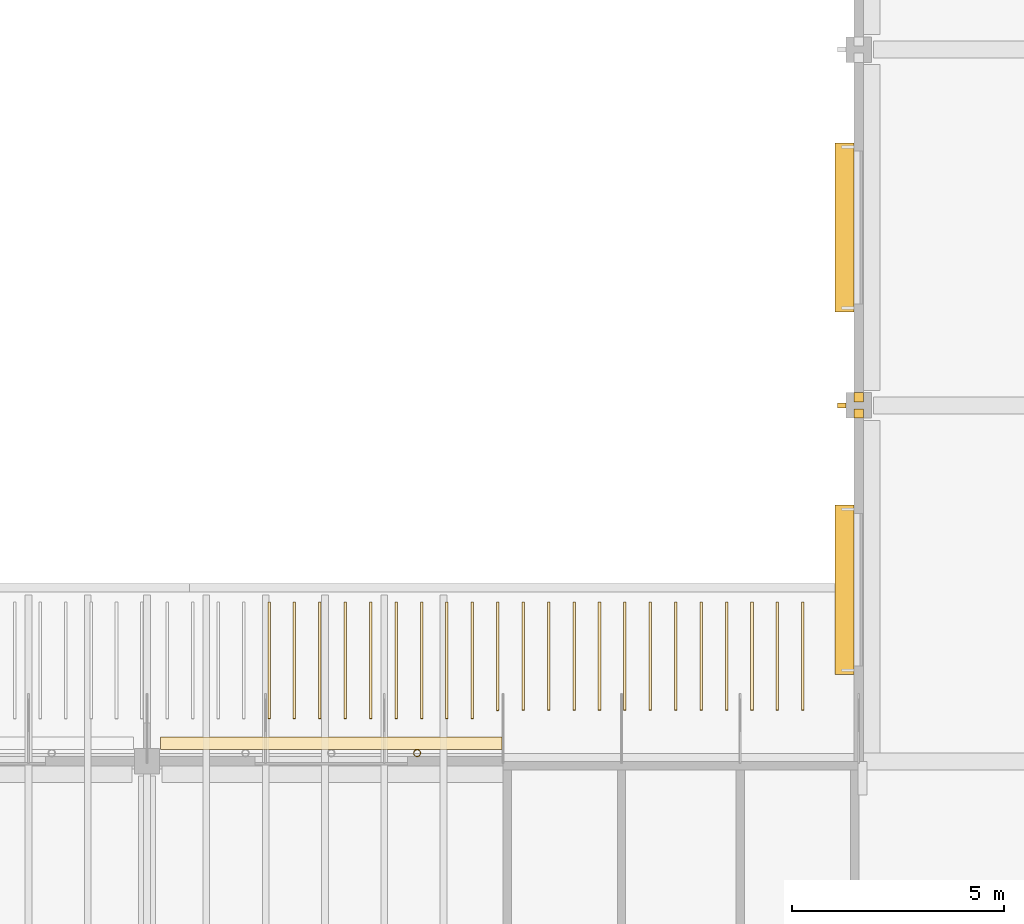
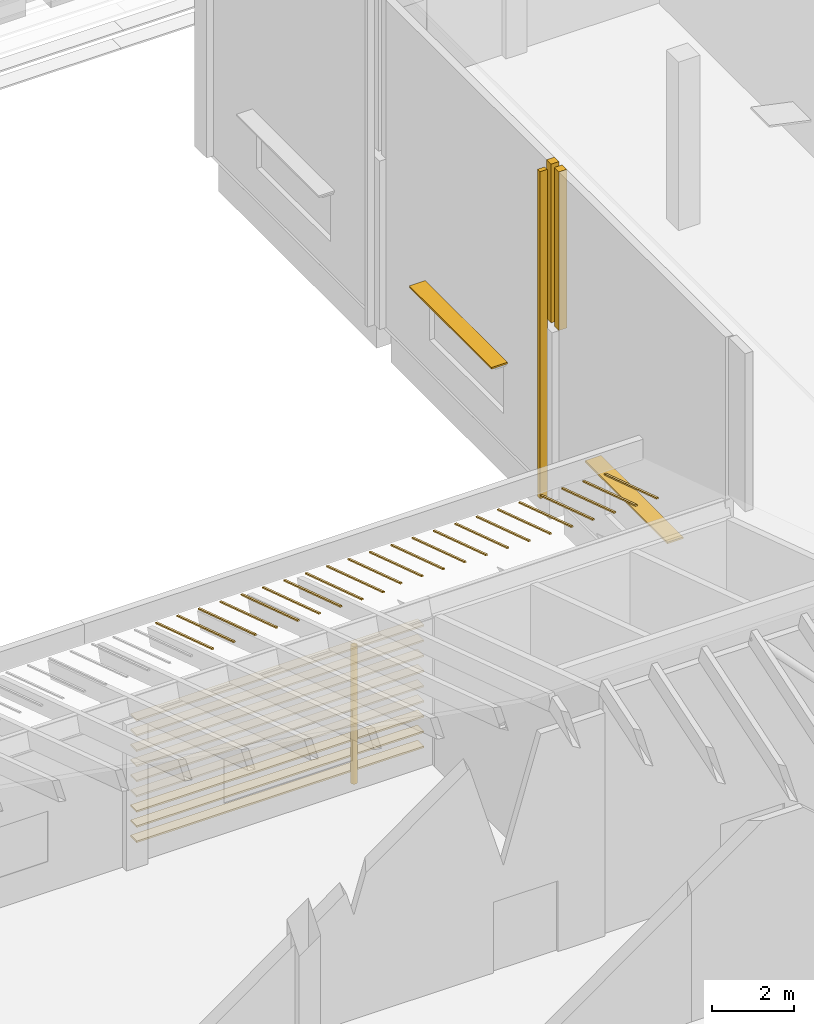
# One storey, part 51 of 59: 33 coverings, 4 shading devices.
"""IFC4 building model written with IfcOpenShell, lengths in metres."""

from ifc_helpers import new_model, si_unit, direction, frame, origin, origin_2d, place, context, subcontext, project, spatial, polyline, rectangle, hollow_circle, outline, extrude, material, layer, layer_set, material_profile, profile_set, type_object, element, save


model = new_model("IFC4")

# Units and contexts
model_context = context("Model", 3, precision=1e-05, world=origin(), true_north=direction((0.0, 1.0)))
body_context = subcontext(model_context, "Body", "Model", "MODEL_VIEW")
ifc_project = project(units=[si_unit("LENGTHUNIT", "METRE"), si_unit("AREAUNIT", "SQUARE_METRE"), si_unit("VOLUMEUNIT", "CUBIC_METRE"), si_unit("PLANEANGLEUNIT", "RADIAN"), si_unit("MASSUNIT", "GRAM", prefix="KILO")], contexts=[model_context])

# Site, building, storey
site_placement = place(None, origin())
site = spatial("IfcSite", under=ifc_project, at=site_placement, CompositionType="ELEMENT")
building_placement = place(site_placement, origin())
building = spatial("IfcBuilding", under=site, at=building_placement, Name="Almond Square Museum", CompositionType="ELEMENT")
storey_placement = place(building_placement, frame((0.0, 0.0, 25.0)))
storey = spatial("IfcBuildingStorey", under=building, at=storey_placement, Name="L04", CompositionType="ELEMENT", Elevation=25.0)

# Shading device
ifc_material_1 = material(Name="Structural steel S355", Category="steel")
ifc_material_profile_1 = material_profile(ifc_material_1, hollow_circle(Radius=0.084228515625, WallThickness=0.008056640625, at=origin_2d()))
ifc_profile_set_1 = profile_set([ifc_material_profile_1], Name="Structural steel S355")
shading_device_type_1 = type_object("IfcShadingDeviceType", Name="Louvre post CHS 168.3 x 8", PredefinedType="USERDEFINED", material=ifc_profile_set_1)
shading_device_1_placement = place(storey_placement, frame((121.574951171875, 16.994140625, 0.0), z_axis=(0.0, 0.0, 1.0), x_axis=(1.0, 0.0, 0.0)))
element("IfcShadingDevice", 1, at=shading_device_1_placement, inside=storey, type_object=shading_device_type_1, Name="Louvre screen post", ObjectType="POST", PredefinedType="USERDEFINED", context=body_context, shape_type="SweptSolid", body=[
    extrude(hollow_circle(Radius=0.084228515625, WallThickness=0.008056640625, at=origin_2d()), origin(), (0.0, 0.0, 1.0), 4.08447265625),
])

# Coverings
ifc_material_2 = material(Name="Cedar timber louvre board", Category="wood")
ifc_material_profile_2 = material_profile(ifc_material_2, rectangle(XDim=0.300048828125, YDim=0.050048828125, at=origin_2d()))
ifc_profile_set_2 = profile_set([ifc_material_profile_2], Name="Cedar timber louvre board")
covering_type_1 = type_object("IfcCoveringType", Name="Louvre screen board 300 x 50", PredefinedType="CLADDING", material=ifc_profile_set_2)
for number, where, z_axis, x_axis, name in (
    (2, (115.52001953125, 17.224365234375, 0.300048828125), (1.0, 0.0, 0.0), (0.0, 1.0, 0.0), "Louvre screen board"),
    (3, (115.52001953125, 17.224365234375, 0.75), (1.0, 0.0, 0.0), (0.0, 1.0, 0.0), "Louvre screen board"),
    (4, (115.52001953125, 17.224365234375, 1.199951171875), (1.0, 0.0, 0.0), (0.0, 1.0, 0.0), "Louvre screen board"),
    (5, (115.52001953125, 17.224365234375, 1.64990234375), (1.0, 0.0, 0.0), (0.0, 1.0, 0.0), "Louvre screen board"),
    (6, (115.52001953125, 17.224365234375, 2.10009765625), (1.0, 0.0, 0.0), (0.0, 1.0, 0.0), "Louvre screen board"),
    (7, (115.52001953125, 17.224365234375, 2.550048828125), (1.0, 0.0, 0.0), (0.0, 1.0, 0.0), "Louvre screen board"),
    (8, (115.52001953125, 17.224365234375, 3.0), (1.0, 0.0, 0.0), (0.0, 1.0, 0.0), "Louvre screen board"),
    (9, (115.52001953125, 17.224365234375, 3.449951171875), (1.0, 0.0, 0.0), (0.0, 1.0, 0.0), "Louvre screen board"),
    (10, (115.52001953125, 17.224365234375, 3.89990234375), (1.0, 0.0, 0.0), (0.0, 1.0, 0.0), "Louvre screen board"),
):
    element("IfcCovering", number, at=place(storey_placement, frame(where, z_axis=z_axis, x_axis=x_axis)), inside=storey, type_object=covering_type_1, Name=name, PredefinedType="CLADDING", context=body_context, shape_type="SweptSolid", body=[
        extrude(rectangle(XDim=0.300048828125, YDim=0.050048828125, at=origin_2d()), origin(), (0.0, 0.0, 1.0), 8.06005859375),
    ])
ifc_material_3 = material(Name="Zinc standing seam")
ifc_layer_1 = layer(ifc_material_3, 0.0400390625)
ifc_layer_set_1 = layer_set([ifc_layer_1], Name="Zinc standing seam")
covering_type_2 = type_object("IfcCoveringType", Name="Roof standing seam rib 60 x 40", PredefinedType="CLADDING", material=ifc_layer_set_1)
for number, where, z_axis, x_axis, name in (
    (11, (118.050048828125, 17.800048828125, 4.675048828125), (0.0, 0.309024978252, 0.951053922139), (1.0, 0.0, 0.0), "Roof standing seam rib"),
    (12, (118.64990234375, 17.800048828125, 4.675048828125), (0.0, 0.309024978252, 0.951053922139), (1.0, 0.0, 0.0), "Roof standing seam rib"),
    (13, (119.25, 17.800048828125, 4.675048828125), (0.0, 0.309024978252, 0.951053922139), (1.0, 0.0, 0.0), "Roof standing seam rib"),
):
    element("IfcCovering", number, at=place(storey_placement, frame(where, z_axis=z_axis, x_axis=x_axis)), inside=storey, type_object=covering_type_2, Name=name, PredefinedType="CLADDING", context=body_context, shape_type="SweptSolid", body=[
        extrude(outline(polyline([(0.0, 0.0), (0.06005859375, 0.0), (0.06005859375, 2.891529003754454), (0.0, 2.891529003754454), (0.0, 0.0)])), origin(), (0.0, 0.0, 1.0), 0.0400390625),
    ])
covering_1_placement = place(storey_placement, frame((119.85009765625, 17.800048828125, 4.675048828125), z_axis=(0.0, 0.309024978252, 0.951053922139), x_axis=(1.0, 0.0, 0.0)))
element("IfcCovering", 14, at=covering_1_placement, inside=storey, type_object=covering_type_2, Name="Roof standing seam rib", PredefinedType="CLADDING", context=body_context, shape_type="SweptSolid", body=[
    extrude(outline(polyline([(0.0, 0.0), (0.059814453125, 0.0), (0.059814453125, 2.8915290037544534), (0.0, 2.8915290037544534), (0.0, 0.0)])), origin(), (0.0, 0.0, 1.0), 0.0400390625),
])
for number, where, z_axis, x_axis, name in (
    (15, (120.449951171875, 17.800048828125, 4.675048828125), (0.0, 0.309024978252, 0.951053922139), (1.0, 0.0, 0.0), "Roof standing seam rib"),
    (16, (121.050048828125, 17.800048828125, 4.675048828125), (0.0, 0.309024978252, 0.951053922139), (1.0, 0.0, 0.0), "Roof standing seam rib"),
    (17, (121.64990234375, 17.800048828125, 4.675048828125), (0.0, 0.309024978252, 0.951053922139), (1.0, 0.0, 0.0), "Roof standing seam rib"),
    (18, (122.25, 17.800048828125, 4.675048828125), (0.0, 0.309024978252, 0.951053922139), (1.0, 0.0, 0.0), "Roof standing seam rib"),
):
    element("IfcCovering", number, at=place(storey_placement, frame(where, z_axis=z_axis, x_axis=x_axis)), inside=storey, type_object=covering_type_2, Name=name, PredefinedType="CLADDING", context=body_context, shape_type="SweptSolid", body=[
        extrude(outline(polyline([(0.0, 0.0), (0.06005859375, 0.0), (0.06005859375, 2.891529003754454), (0.0, 2.891529003754454), (0.0, 0.0)])), origin(), (0.0, 0.0, 1.0), 0.0400390625),
    ])
covering_2_placement = place(storey_placement, frame((122.85009765625, 17.800048828125, 4.675048828125), z_axis=(0.0, 0.309024978252, 0.951053922139), x_axis=(1.0, 0.0, 0.0)))
element("IfcCovering", 19, at=covering_2_placement, inside=storey, type_object=covering_type_2, Name="Roof standing seam rib", PredefinedType="CLADDING", context=body_context, shape_type="SweptSolid", body=[
    extrude(outline(polyline([(0.0, 0.0), (0.059814453125, 0.0), (0.059814453125, 2.8915290037544534), (0.0, 2.8915290037544534), (0.0, 0.0)])), origin(), (0.0, 0.0, 1.0), 0.0400390625),
])
covering_3_placement = place(storey_placement, frame((123.510009765625, 20.550048828125, 3.781494140625), z_axis=(-0.000239148549, 0.309041926607, 0.951048384893), x_axis=(-0.999999971404, -7.390693e-05, -0.000227441848)))
element("IfcCovering", 20, at=covering_3_placement, inside=storey, type_object=covering_type_2, Name="Roof standing seam rib", PredefinedType="CLADDING", context=body_context, shape_type="SweptSolid", body=[
    extrude(outline(polyline([(0.0, 0.0), (0.06005859203256358, -8.139457227521792e-22), (0.06005859546743648, 2.692336587398116), (-3.4348728990231045e-09, 2.6859282510246354), (0.0, 0.0)])), origin(), (0.0, 0.0, 1.0), 0.0400390625),
])
for number, where, z_axis, x_axis, name in (
    (21, (124.110107421875, 18.0, 4.610107421875), (0.0, 0.309034600312, 0.951050795599), (0.0, 0.951050795599, -0.309034600312), "Roof standing seam rib"),
    (22, (124.7099609375, 18.0, 4.610107421875), (0.0, 0.309034600312, 0.951050795599), (0.0, 0.951050795599, -0.309034600312), "Roof standing seam rib"),
    (23, (125.31005859375, 18.0, 4.610107421875), (0.0, 0.309034600312, 0.951050795599), (0.0, 0.951050795599, -0.309034600312), "Roof standing seam rib"),
):
    element("IfcCovering", number, at=place(storey_placement, frame(where, z_axis=z_axis, x_axis=x_axis)), inside=storey, type_object=covering_type_2, Name=name, PredefinedType="CLADDING", context=body_context, shape_type="SweptSolid", body=[
        extrude(outline(polyline([(0.0, 0.0), (2.6812961409895735, 0.0), (2.6812961409895735, 0.060058593750000014), (0.0, 0.060058593750000014), (0.0, 0.0)])), origin(), (0.0, 0.0, 1.0), 0.0400390625),
    ])
covering_4_placement = place(storey_placement, frame((125.909912109375, 18.0, 4.610107421875), z_axis=(0.0, 0.309034600312, 0.951050795599), x_axis=(0.0, 0.951050795599, -0.309034600312)))
element("IfcCovering", 24, at=covering_4_placement, inside=storey, type_object=covering_type_2, Name="Roof standing seam rib", PredefinedType="CLADDING", context=body_context, shape_type="SweptSolid", body=[
    extrude(outline(polyline([(0.0, 0.0), (2.6812961409895735, 0.0), (2.6812961409895735, 0.059814453125), (0.0, 0.059814453125), (0.0, 0.0)])), origin(), (0.0, 0.0, 1.0), 0.0400390625),
])
for number, where, z_axis, x_axis, name in (
    (25, (126.510009765625, 18.0, 4.610107421875), (0.0, 0.309034600312, 0.951050795599), (0.0, 0.951050795599, -0.309034600312), "Roof standing seam rib"),
    (26, (127.110107421875, 18.0, 4.610107421875), (0.0, 0.309034600312, 0.951050795599), (0.0, 0.951050795599, -0.309034600312), "Roof standing seam rib"),
    (27, (127.7099609375, 18.0, 4.610107421875), (0.0, 0.309034600312, 0.951050795599), (0.0, 0.951050795599, -0.309034600312), "Roof standing seam rib"),
    (28, (128.31005859375, 18.0, 4.610107421875), (0.0, 0.309034600312, 0.951050795599), (0.0, 0.951050795599, -0.309034600312), "Roof standing seam rib"),
):
    element("IfcCovering", number, at=place(storey_placement, frame(where, z_axis=z_axis, x_axis=x_axis)), inside=storey, type_object=covering_type_2, Name=name, PredefinedType="CLADDING", context=body_context, shape_type="SweptSolid", body=[
        extrude(outline(polyline([(0.0, 0.0), (2.6812961409895735, 0.0), (2.6812961409895735, 0.060058593750000014), (0.0, 0.060058593750000014), (0.0, 0.0)])), origin(), (0.0, 0.0, 1.0), 0.0400390625),
    ])
covering_5_placement = place(storey_placement, frame((128.909912109375, 18.0, 4.610107421875), z_axis=(0.0, 0.309034600312, 0.951050795599), x_axis=(0.0, 0.951050795599, -0.309034600312)))
element("IfcCovering", 29, at=covering_5_placement, inside=storey, type_object=covering_type_2, Name="Roof standing seam rib", PredefinedType="CLADDING", context=body_context, shape_type="SweptSolid", body=[
    extrude(outline(polyline([(0.0, 0.0), (2.6812961409895735, 0.0), (2.6812961409895735, 0.059814453125), (0.0, 0.059814453125), (0.0, 0.0)])), origin(), (0.0, 0.0, 1.0), 0.0400390625),
])
for number, where, z_axis, x_axis, name in (
    (30, (129.510009765625, 18.0, 4.610107421875), (0.0, 0.309034600312, 0.951050795599), (0.0, 0.951050795599, -0.309034600312), "Roof standing seam rib"),
    (31, (130.110107421875, 18.0, 4.610107421875), (0.0, 0.309034600312, 0.951050795599), (0.0, 0.951050795599, -0.309034600312), "Roof standing seam rib"),
    (32, (130.7099609375, 18.0, 4.610107421875), (0.0, 0.309034600312, 0.951050795599), (0.0, 0.951050795599, -0.309034600312), "Roof standing seam rib"),
):
    element("IfcCovering", number, at=place(storey_placement, frame(where, z_axis=z_axis, x_axis=x_axis)), inside=storey, type_object=covering_type_2, Name=name, PredefinedType="CLADDING", context=body_context, shape_type="SweptSolid", body=[
        extrude(outline(polyline([(0.0, 0.0), (2.6812961409895735, 0.0), (2.6812961409895735, 0.060058593750000014), (0.0, 0.060058593750000014), (0.0, 0.0)])), origin(), (0.0, 0.0, 1.0), 0.0400390625),
    ])

# Shading devices
ifc_material_4 = material(Name="Anodised aluminium", Category="aluminium")
ifc_material_profile_3 = material_profile(ifc_material_4, rectangle(XDim=0.449951171875, YDim=0.050048828125, at=origin_2d()))
ifc_profile_set_3 = profile_set([ifc_material_profile_3], Name="Anodised aluminium")
shading_device_type_2 = type_object("IfcShadingDeviceType", Name="Sun-shade blade 450 x 50", PredefinedType="USERDEFINED", material=ifc_profile_set_3)
for number, where, z_axis, x_axis, name in (
    (33, (131.6669921875, 27.39990234375, 2.52001953125), (0.0, 1.0, 0.0), (-1.0, 0.0, 0.0), "Sun-shade blade"),
    (34, (131.6669921875, 18.85009765625, 2.52001953125), (0.0, 1.0, 0.0), (-1.0, 0.0, 0.0), "Sun-shade blade"),
):
    element("IfcShadingDevice", number, at=place(storey_placement, frame(where, z_axis=z_axis, x_axis=x_axis)), inside=storey, type_object=shading_device_type_2, Name=name, ObjectType="LOUVRE", PredefinedType="USERDEFINED", context=body_context, shape_type="SweptSolid", body=[
        extrude(rectangle(XDim=0.449951171875, YDim=0.050048828125, at=origin_2d()), origin(), (0.0, 0.0, 1.0), 4.0),
    ])
ifc_material_5 = material(Name="Anodised aluminium", Category="aluminium")
ifc_material_profile_4 = material_profile(ifc_material_5, rectangle(XDim=0.199951171875, YDim=0.1201171875, at=origin_2d()))
ifc_profile_set_4 = profile_set([ifc_material_profile_4], Name="Anodised aluminium")
shading_device_type_3 = type_object("IfcShadingDeviceType", Name="Vertical aluminium fin 200 x 120", PredefinedType="USERDEFINED", material=ifc_profile_set_4)
shading_device_2_placement = place(storey_placement, frame((131.60205078125, 25.199951171875, 0.0), z_axis=(0.0, 0.0, 1.0), x_axis=(-1.0, 0.0, 0.0)))
element("IfcShadingDevice", 35, at=shading_device_2_placement, inside=storey, type_object=shading_device_type_3, Name="Vertical fin V5E L04 W02", ObjectType="FIN", PredefinedType="USERDEFINED", context=body_context, shape_type="SweptSolid", body=[
    extrude(rectangle(XDim=0.199951171875, YDim=0.1201171875, at=origin_2d()), origin(), (0.0, 0.0, 1.0), 9.709228515625),
])

# Coverings
ifc_material_6 = material(Name="Cladding panel to match the wall")
ifc_layer_2 = layer(ifc_material_6, 0.050048828125)
ifc_layer_set_2 = layer_set([ifc_layer_2], Name="Cladding panel to match the wall")
covering_type_3 = type_object("IfcCoveringType", Name="Wall end closure panel", PredefinedType="CLADDING", material=ifc_layer_set_2)
for number, where, z_axis, x_axis, name in (
    (36, (132.0, 25.389892578125, 5.0), (0.0, 0.0, 1.0), (1.0, 0.0, 0.0), "Wall end closure panel"),
    (37, (132.0, 25.010009765625, 5.0), (0.0, 0.0, 1.0), (1.0, 0.0, 0.0), "Wall end closure panel"),
):
    element("IfcCovering", number, at=place(storey_placement, frame(where, z_axis=z_axis, x_axis=x_axis)), inside=storey, type_object=covering_type_3, Name=name, PredefinedType="CLADDING", context=body_context, shape_type="SweptSolid", body=[
        extrude(rectangle(XDim=0.219970703125, YDim=0.219970703125, at=origin_2d()), origin(), (0.0, 0.0, 1.0), 4.709228515625),
    ])

save(model, "model.ifc")
